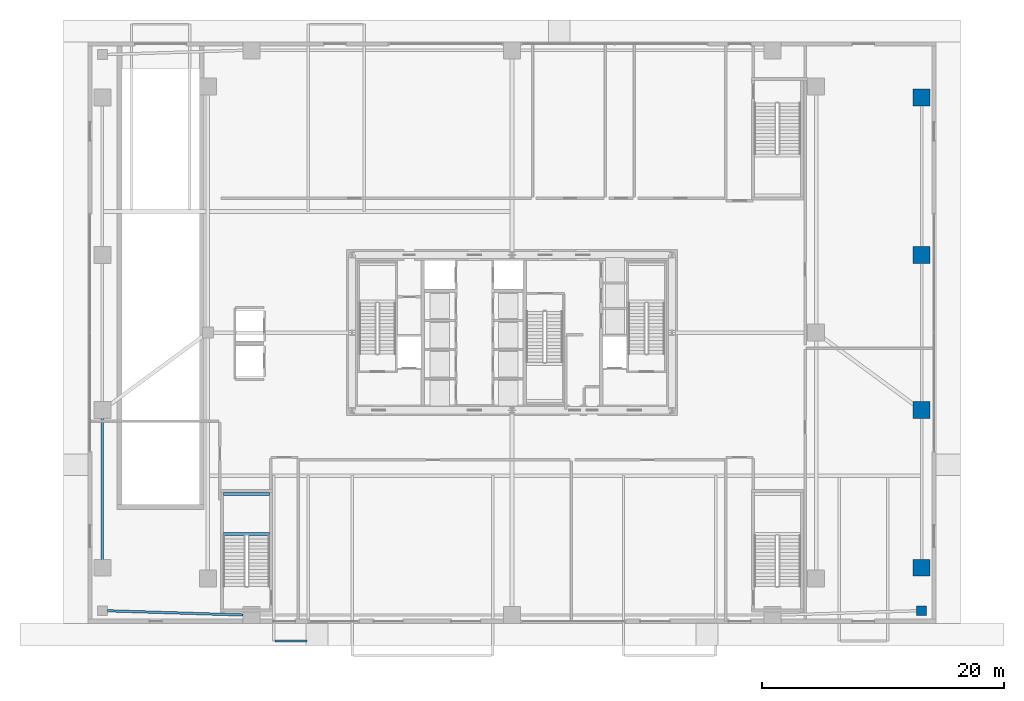
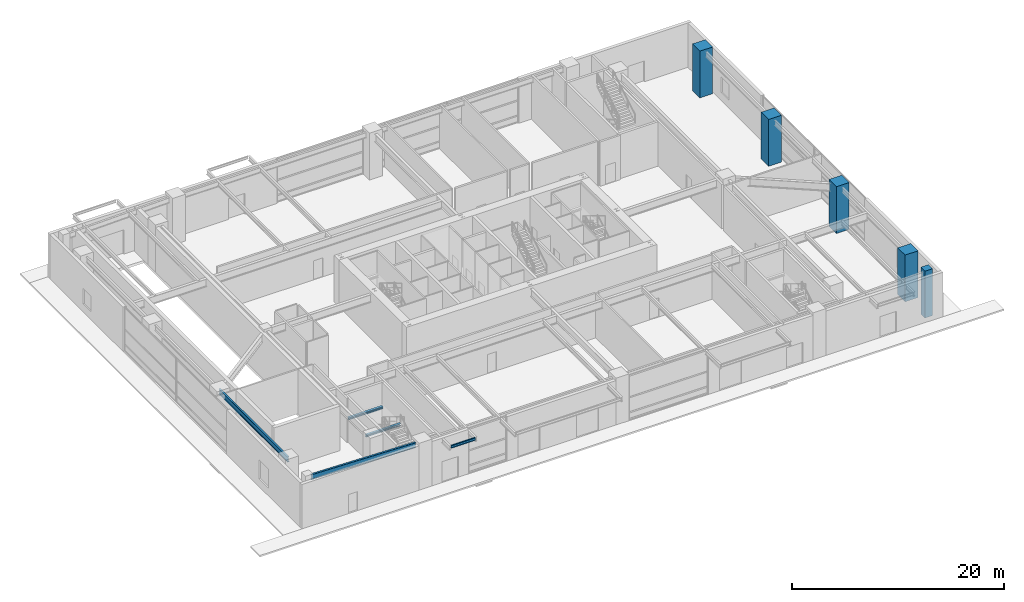
# One storey, part 3 of 32: 5 beams, 5 columns.
"""IFC4 building model written with IfcOpenShell, lengths in metres."""

from ifc_helpers import new_model, si_unit, direction, frame, origin, origin_2d, place, context, subcontext, project, spatial, rectangle, i_section, extrude, source, transform, mapped, material, material_profile, profile_set, type_object, element, save


model = new_model("IFC4")

# Units and contexts
model_context = context("Model", 3, precision=1e-05, world=origin(), true_north=direction((0.0, 1.0)))
body_context = subcontext(model_context, "Body", "Model", "MODEL_VIEW")
ifc_project = project(units=[si_unit("LENGTHUNIT", "METRE"), si_unit("AREAUNIT", "SQUARE_METRE"), si_unit("VOLUMEUNIT", "CUBIC_METRE"), si_unit("PLANEANGLEUNIT", "RADIAN"), si_unit("MASSUNIT", "GRAM", prefix="KILO"), si_unit("THERMODYNAMICTEMPERATUREUNIT", "KELVIN"), si_unit("POWERUNIT", "WATT")], contexts=[model_context])

# Site, building, storey
site_placement = place(None, origin())
site = spatial("IfcSite", under=ifc_project, at=site_placement, CompositionType="ELEMENT")
building_placement = place(site_placement, origin())
building = spatial("IfcBuilding", under=site, at=building_placement, Name="Yuzanri Waterfront Tower", CompositionType="ELEMENT")
storey_placement = place(building_placement, origin())
storey = spatial("IfcBuildingStorey", under=building, at=storey_placement, Name="L01", CompositionType="ELEMENT", Elevation=0.0)

# Columns
ifc_material_1 = material(Name="Concrete C50", Category="concrete")
ifc_material_profile_1 = material_profile(ifc_material_1, rectangle(XDim=0.800048828125, YDim=0.800048828125, at=origin_2d()), Name="RC 800x800")
ifc_profile_set_1 = profile_set([ifc_material_profile_1], Name="Concrete C50")
column_type_1 = type_object("IfcColumnType", Name="Upper Podium RC Column C50 800x800", PredefinedType="COLUMN", material=ifc_profile_set_1)
shared_shape_1 = source(origin(), body_context, "Body", "SweptSolid", [
    extrude(rectangle(XDim=0.800048828125, YDim=0.800048828125, at=origin_2d()), origin(), (0.0, 0.0, 1.0), 5.39990234375),
])
column_placement = place(storey_placement, frame((70.800048828125, 2.85009765625, 0.0), z_axis=(0.0, 0.0, 1.0), x_axis=(1.0, 0.0, 0.0)))
element("IfcColumn", 1, at=column_placement, inside=storey, type_object=column_type_1, Name="L01 Podium Corner Column CNPSE", PredefinedType="COLUMN", context=body_context, shape_type="MappedRepresentation", body=[
    mapped(shared_shape_1, transform((0.0, 0.0, 0.0), scale=1.0)),
])
ifc_material_2 = material(Name="Concrete C60", Category="concrete")
ifc_material_profile_2 = material_profile(ifc_material_2, rectangle(XDim=1.39990234375, YDim=1.39990234375, at=origin_2d()), Name="RC 1400x1400")
ifc_profile_set_2 = profile_set([ifc_material_profile_2], Name="Concrete C60")
column_type_2 = type_object("IfcColumnType", Name="Podium RC Column C60 1400x1400", PredefinedType="COLUMN", material=ifc_profile_set_2)
shared_shape_2 = source(origin(), body_context, "Body", "SweptSolid", [
    extrude(rectangle(XDim=1.39990234375, YDim=1.39990234375, at=origin_2d()), origin(), (0.0, 0.0, 1.0), 5.39990234375),
])
for number, where, z_axis, x_axis, name in (
    (2, (70.800048828125, 6.39990234375, 0.0), (0.0, 0.0, 1.0), (1.0, 0.0, 0.0), "L01 Podium Column PE1"),
    (3, (70.800048828125, 19.39990234375, 0.0), (0.0, 0.0, 1.0), (1.0, 0.0, 0.0), "L01 Podium Column PE2"),
    (4, (70.800048828125, 32.199951171875, 0.0), (0.0, 0.0, 1.0), (1.0, 0.0, 0.0), "L01 Podium Column PE3"),
    (5, (70.800048828125, 45.199951171875, 0.0), (0.0, 0.0, 1.0), (1.0, 0.0, 0.0), "L01 Podium Column PE4"),
):
    element("IfcColumn", number, at=place(storey_placement, frame(where, z_axis=z_axis, x_axis=x_axis)), inside=storey, type_object=column_type_2, Name=name, PredefinedType="COLUMN", context=body_context, shape_type="MappedRepresentation", body=[
        mapped(shared_shape_2, transform((0.0, 0.0, 0.0), scale=1.0)),
    ])

# Beams
ifc_material_3 = material(Name="Steel Q355B", Category="steel")
ifc_material_profile_3 = material_profile(ifc_material_3, i_section(OverallWidth=0.199951171875, OverallDepth=0.60009765625, WebThickness=0.010986328125, FlangeThickness=0.01708984375, at=origin_2d()), Name="HN 600x200x11x17")
ifc_profile_set_3 = profile_set([ifc_material_profile_3], Name="Steel Q355B")
beam_type_1 = type_object("IfcBeamType", Name="Perimeter Spandrel Q355B HN 600x200", PredefinedType="SPANDREL", material=ifc_profile_set_3)
shared_shape_3 = source(origin(), body_context, "Body", "SweptSolid", [
    extrude(i_section(OverallWidth=0.199951171875, OverallDepth=0.60009765625, WebThickness=0.010986328125, FlangeThickness=0.01708984375, at=origin_2d()), origin(), (0.0, 0.0, 1.0), 13.0),
])
beam_1_placement = place(storey_placement, frame((3.199951171875, 6.39990234375, 4.820068359375), z_axis=(0.0, 1.0, 0.0), x_axis=(-1.0, 0.0, 0.0)))
element("IfcBeam", 6, at=beam_1_placement, inside=storey, type_object=beam_type_1, Name="L01 West Podium Spandrel 1", PredefinedType="SPANDREL", context=body_context, shape_type="MappedRepresentation", body=[
    mapped(shared_shape_3, transform((0.0, 0.0, 0.0), scale=1.0)),
])
shared_shape_4 = source(origin(), body_context, "Body", "SweptSolid", [
    extrude(i_section(OverallWidth=0.199951171875, OverallDepth=0.60009765625, WebThickness=0.010986328125, FlangeThickness=0.01708984375, at=origin_2d()), origin(), (0.0, 0.0, 1.0), 11.205322265625),
])
beam_2_placement = place(storey_placement, frame((3.60009765625, 2.85009765625, 4.820068359375), z_axis=(0.999511799716, -0.031243595004, 0.0), x_axis=(0.031243595004, 0.999511799716, 0.0)))
element("IfcBeam", 7, at=beam_2_placement, inside=storey, type_object=beam_type_1, Name="L01 South-West Corner Spandrel", PredefinedType="SPANDREL", context=body_context, shape_type="MappedRepresentation", body=[
    mapped(shared_shape_4, transform((0.0, 0.0, 0.0), scale=1.0)),
])
ifc_material_4 = material(Name="Steel Q355B", Category="steel")
ifc_material_profile_4 = material_profile(ifc_material_4, i_section(OverallWidth=0.14990234375, OverallDepth=0.300048828125, WebThickness=0.006591796875, FlangeThickness=0.009033203125, at=origin_2d()), Name="HN 300x150x6.5x9")
ifc_profile_set_4 = profile_set([ifc_material_profile_4], Name="Steel Q355B")
beam_type_2 = type_object("IfcBeamType", Name="Balcony Outlooker Joist Q355B HN 300x150", PredefinedType="JOIST", material=ifc_profile_set_4)
shared_shape_5 = source(origin(), body_context, "Body", "SweptSolid", [
    extrude(i_section(OverallWidth=0.14990234375, OverallDepth=0.300048828125, WebThickness=0.006591796875, FlangeThickness=0.009033203125, at=origin_2d()), origin(), (0.0, 0.0, 1.0), 2.650146484375),
])
beam_3_placement = place(storey_placement, frame((17.449951171875, 0.35009765625, 4.969970703125), z_axis=(1.0, 0.0, 0.0), x_axis=(0.0, 1.0, 0.0)))
element("IfcBeam", 8, at=beam_3_placement, inside=storey, type_object=beam_type_2, Name="L01 Canopy S3 Outer Edge Beam", PredefinedType="JOIST", context=body_context, shape_type="MappedRepresentation", body=[
    mapped(shared_shape_5, transform((0.0, 0.0, 0.0), scale=1.0)),
])
ifc_material_5 = material(Name="Steel Q355B", Category="steel")
ifc_material_profile_5 = material_profile(ifc_material_5, i_section(OverallWidth=0.25, OverallDepth=0.25, WebThickness=0.009033203125, FlangeThickness=0.013916015625, at=origin_2d()), Name="HW 250x250x9x14")
ifc_profile_set_5 = profile_set([ifc_material_profile_5], Name="Steel Q355B")
beam_type_3 = type_object("IfcBeamType", Name="Stair Landing Support Beam Q355B HW 250x250", PredefinedType="BEAM", material=ifc_profile_set_5)
shared_shape_6 = source(origin(), body_context, "Body", "SweptSolid", [
    extrude(i_section(OverallWidth=0.25, OverallDepth=0.25, WebThickness=0.009033203125, FlangeThickness=0.013916015625, at=origin_2d()), origin(), (0.0, 0.0, 1.0), 3.800048828125),
])
for number, where, z_axis, x_axis, name in (
    (9, (13.199951171875, 9.179931640625, 2.375), (1.0, 0.0, 0.0), (0.0, 1.0, 0.0), "L01 Stair Landing Support Beam PST-01-L01-L1-1"),
    (10, (13.199951171875, 12.469970703125, 2.375), (1.0, 0.0, 0.0), (0.0, 1.0, 0.0), "L01 Stair Landing Support Beam PST-01-L01-L1-2"),
):
    element("IfcBeam", number, at=place(storey_placement, frame(where, z_axis=z_axis, x_axis=x_axis)), inside=storey, type_object=beam_type_3, Name=name, PredefinedType="BEAM", context=body_context, shape_type="MappedRepresentation", body=[
        mapped(shared_shape_6, transform((0.0, 0.0, 0.0), scale=1.0)),
    ])

save(model, "model.ifc")
